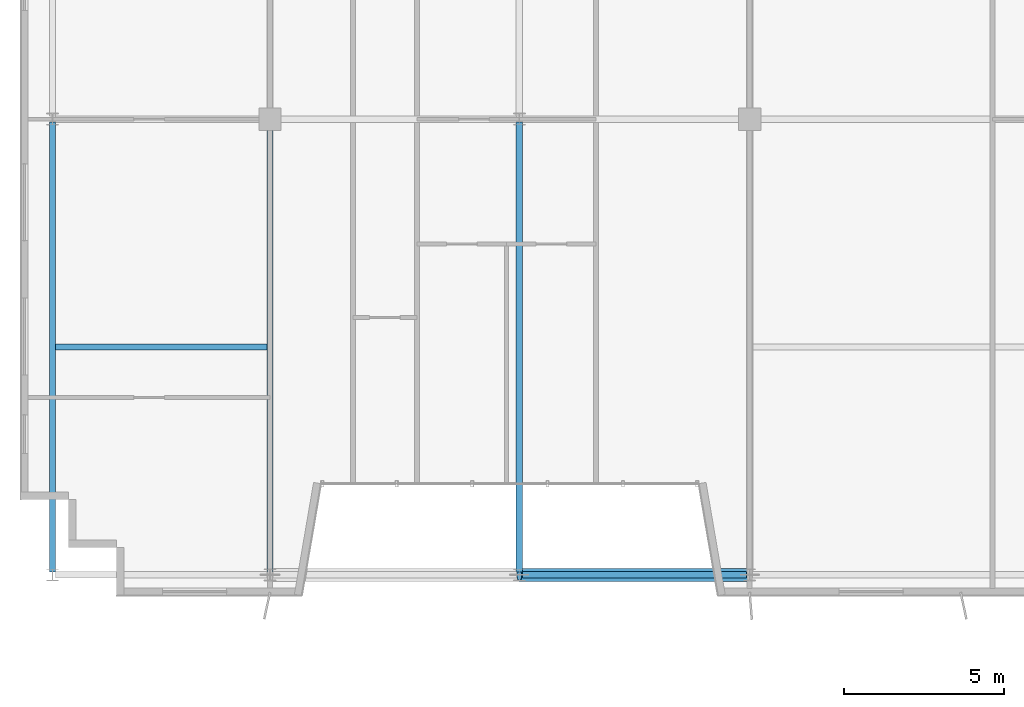
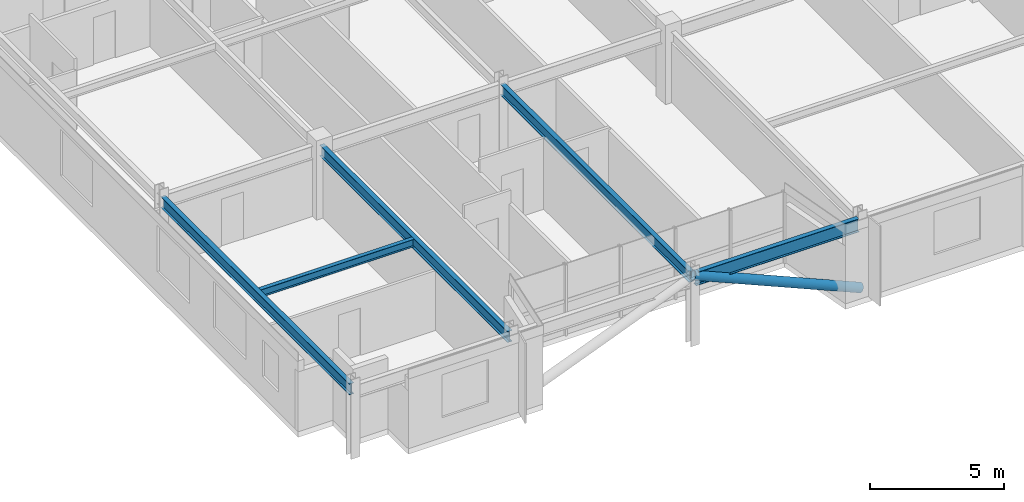
# One storey, part 4 of 24: 5 beams, 1 member.
"""IFC4 building model written with IfcOpenShell, lengths in metres."""

from ifc_helpers import new_model, si_unit, direction, frame, origin, origin_2d, place, context, subcontext, project, spatial, hollow_circle, i_section, extrude, source, transform, mapped, material, material_profile, profile_set, type_object, element, save


model = new_model("IFC4")

# Units and contexts
model_context = context("Model", 3, precision=1e-05, world=origin(), true_north=direction((0.0, 1.0)))
body_context = subcontext(model_context, "Body", "Model", "MODEL_VIEW")
ifc_project = project(units=[si_unit("LENGTHUNIT", "METRE"), si_unit("AREAUNIT", "SQUARE_METRE"), si_unit("VOLUMEUNIT", "CUBIC_METRE"), si_unit("PLANEANGLEUNIT", "RADIAN"), si_unit("MASSUNIT", "GRAM", prefix="KILO")], contexts=[model_context])

# Site, building, storey
site_placement = place(None, origin())
site = spatial("IfcSite", under=ifc_project, at=site_placement, CompositionType="ELEMENT")
building_placement = place(site_placement, origin())
building = spatial("IfcBuilding", under=site, at=building_placement, Name="Trelvane Seafront Commons", CompositionType="ELEMENT")
storey_placement = place(building_placement, frame((0.0, 0.0, 178.89990234375)))
storey = spatial("IfcBuildingStorey", under=building, at=storey_placement, Name="L47", CompositionType="ELEMENT", Elevation=178.89990234375)

# Beams
ifc_material = material(Name="Steel SM355 (S355)", Category="steel")
ifc_material_profile_1 = material_profile(ifc_material, i_section(OverallWidth=0.175048828125, OverallDepth=0.35009765625, WebThickness=0.007080078125, FlangeThickness=0.010986328125, at=origin_2d()), Name="H-350x175x7x11")
ifc_profile_set_1 = profile_set([ifc_material_profile_1], Name="Steel SM355 (S355)")
beam_type_1 = type_object("IfcBeamType", Name="STR-JST-H350", PredefinedType="JOIST", material=ifc_profile_set_1)
shared_shape_1 = source(origin(), body_context, "Body", "SweptSolid", [
    extrude(i_section(OverallWidth=0.175048828125, OverallDepth=0.35009765625, WebThickness=0.007080078125, FlangeThickness=0.010986328125, at=origin_2d()), origin(), (0.0, 0.0, 1.0), 6.60009765625),
])
beam_1_placement = place(storey_placement, frame((8.89990234375, 11.074951171875, 3.045166015625), z_axis=(1.0, 0.0, 0.0), x_axis=(0.0, 1.0, 0.0)))
element("IfcBeam", 1, at=beam_1_placement, inside=storey, type_object=beam_type_1, Name="L47 Secondary Floor Joist B-53", PredefinedType="JOIST", context=body_context, shape_type="MappedRepresentation", body=[
    mapped(shared_shape_1, transform((0.0, 0.0, 0.0), x_axis=(1.0, 0.0, 0.0), y_axis=(0.0, 1.0, 0.0), z_axis=(0.0, 0.0, 1.0), scale=1.0)),
])
ifc_material_profile_2 = material_profile(ifc_material, i_section(OverallWidth=0.199951171875, OverallDepth=0.60009765625, WebThickness=0.010986328125, FlangeThickness=0.01708984375, at=origin_2d()), Name="H-600x200x11x17")
ifc_profile_set_2 = profile_set([ifc_material_profile_2], Name="Steel SM355 (S355)")
beam_type_2 = type_object("IfcBeamType", Name="STR-SPD-H600", PredefinedType="SPANDREL", material=ifc_profile_set_2)
shared_shape_2 = source(origin(), body_context, "Body", "SweptSolid", [
    extrude(i_section(OverallWidth=0.199951171875, OverallDepth=0.60009765625, WebThickness=0.010986328125, FlangeThickness=0.01708984375, at=origin_2d()), origin(), (0.0, 0.0, 1.0), 7.009765625),
])
beam_2_placement = place(storey_placement, frame((23.4951171875, 3.949951171875, 2.920166015625), z_axis=(1.0, 0.0, 0.0), x_axis=(0.0, 1.0, 0.0)))
element("IfcBeam", 2, at=beam_2_placement, inside=storey, type_object=beam_type_2, Name="L47 Primary Girder G-03", PredefinedType="SPANDREL", context=body_context, shape_type="MappedRepresentation", body=[
    mapped(shared_shape_2, transform((0.0, 0.0, 0.0), x_axis=(1.0, 0.0, 0.0), y_axis=(0.0, 1.0, 0.0), z_axis=(0.0, 0.0, 1.0), scale=1.0)),
])
ifc_material_profile_3 = material_profile(ifc_material, i_section(OverallWidth=0.199951171875, OverallDepth=0.5, WebThickness=0.010009765625, FlangeThickness=0.01611328125, at=origin_2d()), Name="H-500x200x10x16")
ifc_profile_set_3 = profile_set([ifc_material_profile_3], Name="Steel SM355 (S355)")
beam_type_3 = type_object("IfcBeamType", Name="STR-BM-H500", PredefinedType="BEAM", material=ifc_profile_set_3)
shared_shape_3 = source(origin(), body_context, "Body", "SweptSolid", [
    extrude(i_section(OverallWidth=0.199951171875, OverallDepth=0.5, WebThickness=0.010009765625, FlangeThickness=0.01611328125, at=origin_2d()), origin(), (0.0, 0.0, 1.0), 14.06005859375),
])
for number, where, z_axis, x_axis, name in (
    (3, (8.800048828125, 4.044921875, 2.97021484375), (0.0, 1.0, 0.0), (-1.0, 0.0, 0.0), "L47 Primary Girder G-29"),
    (4, (23.39990234375, 4.044921875, 2.97021484375), (0.0, 1.0, 0.0), (-1.0, 0.0, 0.0), "L47 Primary Girder G-35"),
):
    element("IfcBeam", number, at=place(storey_placement, frame(where, z_axis=z_axis, x_axis=x_axis)), inside=storey, type_object=beam_type_3, Name=name, PredefinedType="BEAM", context=body_context, shape_type="MappedRepresentation", body=[
        mapped(shared_shape_3, transform((0.0, 0.0, 0.0), x_axis=(1.0, 0.0, 0.0), y_axis=(0.0, 1.0, 0.0), z_axis=(0.0, 0.0, 1.0), scale=1.0)),
    ])
shared_shape_4 = source(origin(), body_context, "Body", "SweptSolid", [
    extrude(i_section(OverallWidth=0.199951171875, OverallDepth=0.5, WebThickness=0.010009765625, FlangeThickness=0.01611328125, at=origin_2d()), origin(), (0.0, 0.0, 1.0), 14.005126953125),
])
beam_3_placement = place(storey_placement, frame((15.60009765625, 4.044921875, 2.97021484375), z_axis=(0.0, 1.0, 0.0), x_axis=(-1.0, 0.0, 0.0)))
element("IfcBeam", 5, at=beam_3_placement, inside=storey, type_object=beam_type_3, Name="L47 Primary Girder G-32", PredefinedType="BEAM", context=body_context, shape_type="MappedRepresentation", body=[
    mapped(shared_shape_4, transform((0.0, 0.0, 0.0), x_axis=(1.0, 0.0, 0.0), y_axis=(0.0, 1.0, 0.0), z_axis=(0.0, 0.0, 1.0), scale=1.0)),
])

# Member
ifc_material_profile_4 = material_profile(ifc_material, hollow_circle(Radius=0.203125, WallThickness=0.01611328125, at=origin_2d()), Name="CHS-406.4x16")
ifc_profile_set_4 = profile_set([ifc_material_profile_4], Name="Steel SM355 (S355)")
member_type = type_object("IfcMemberType", Name="STR-STR-CHS406", PredefinedType="STRUT", material=ifc_profile_set_4)
shared_shape_5 = source(origin(), body_context, "Body", "SweptSolid", [
    extrude(hollow_circle(Radius=0.203125, WallThickness=0.01611328125, at=origin_2d()), origin(), (0.0, 0.0, 1.0), 7.839111328125),
])
member_placement = place(storey_placement, frame((30.60009765625, 3.949951171875, 0.0), z_axis=(-0.918483281727, 0.0, 0.395459809826), x_axis=(0.0, -1.0, 0.0)))
element("IfcMember", 6, at=member_placement, inside=storey, type_object=member_type, Name="L47 Sky-Garden V-Chevron Brace SGV-E", PredefinedType="STRUT", context=body_context, shape_type="MappedRepresentation", body=[
    mapped(shared_shape_5, transform((0.0, 0.0, 0.0), x_axis=(1.0, 0.0, 0.0), y_axis=(0.0, 1.0, 0.0), z_axis=(0.0, 0.0, 1.0), scale=1.0)),
])

save(model, "model.ifc")
